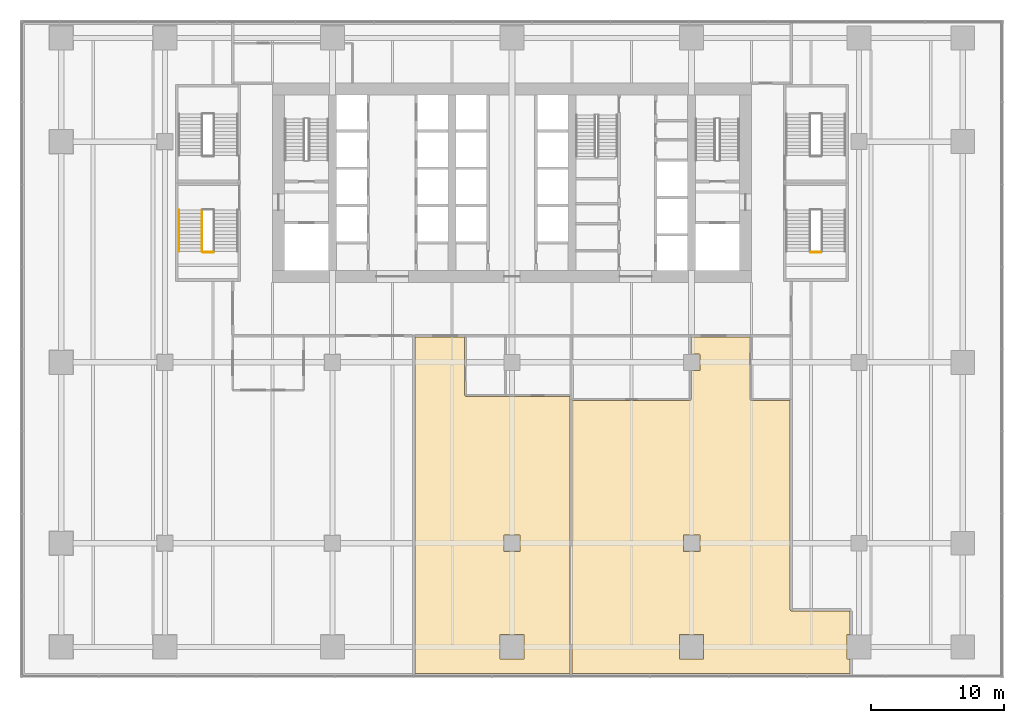
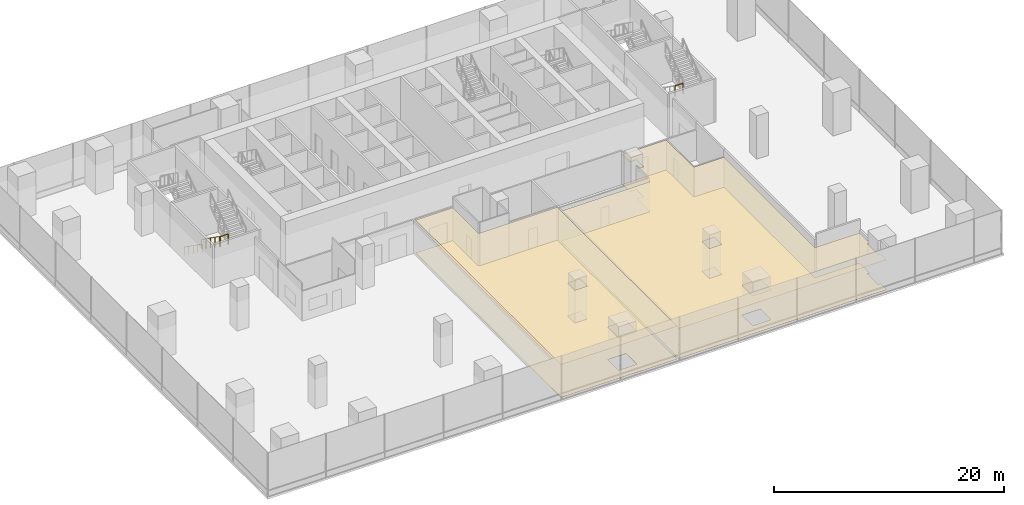
# One storey, part 23 of 28: 4 coverings, 4 railings.
"""IFC4 building model written with IfcOpenShell, lengths in metres."""

from ifc_helpers import new_model, si_unit, direction, frame, origin, origin_2d, place, context, subcontext, project, spatial, polyline, rectangle, outline, extrude, material, layer, layer_set, type_object, element, save


model = new_model("IFC4")

# Units and contexts
model_context = context("Model", 3, precision=1e-05, world=origin(), true_north=direction((0.0, 1.0)))
body_context = subcontext(model_context, "Body", "Model", "MODEL_VIEW")
ifc_project = project(units=[si_unit("LENGTHUNIT", "METRE"), si_unit("AREAUNIT", "SQUARE_METRE"), si_unit("VOLUMEUNIT", "CUBIC_METRE"), si_unit("PLANEANGLEUNIT", "RADIAN"), si_unit("MASSUNIT", "GRAM", prefix="KILO")], contexts=[model_context])

# Site, building, storey
site_placement = place(None, origin())
site = spatial("IfcSite", under=ifc_project, at=site_placement, CompositionType="ELEMENT")
building_placement = place(site_placement, origin())
building = spatial("IfcBuilding", under=site, at=building_placement, Name="Rattan Terrace Tower", CompositionType="ELEMENT")
storey_placement = place(building_placement, frame((0.0, 0.0, 22.199951171875)))
storey = spatial("IfcBuildingStorey", under=building, at=storey_placement, Name="L04", CompositionType="ELEMENT", Elevation=22.199951171875)

# Railings
ifc_material_1 = material(Name="Powder-coated steel guard", Category="steel")
railing_type_1 = type_object("IfcRailingType", Name="Core stair guard", PredefinedType="GUARDRAIL", material=ifc_material_1)
railing_1_placement = place(storey_placement, frame((-23.300048828125, -2.050048828125, 0.1845703125)))
element("IfcRailing", 1, at=railing_1_placement, inside=storey, type_object=railing_type_1, Name="L04 S4 stair guard 1", PredefinedType="GUARDRAIL", context=body_context, shape_type="SweptSolid", body=[
    extrude(rectangle(XDim=0.048095703125, YDim=0.048095703125, at=origin_2d()), frame((0.0, 0.0, 1.076171875), z_axis=(0.0, -0.815325456587, 0.579002935952), x_axis=(1.0, 0.0, 0.0)), (0.0, 0.0, 1.0), 3.826416015625),
    extrude(rectangle(XDim=0.0419921875, YDim=0.0419921875, at=origin_2d()), origin(), (0.0, 0.0, 1.0), 1.052001953125),
    extrude(rectangle(XDim=0.0419921875, YDim=0.0419921875, at=origin_2d()), frame((0.0, -0.780029296875, 0.553955078125)), (0.0, 0.0, 1.0), 1.052001953125),
    extrude(rectangle(XDim=0.0419921875, YDim=0.0419921875, at=origin_2d()), frame((0.0, -1.56005859375, 1.10791015625)), (0.0, 0.0, 1.0), 1.052001953125),
    extrude(rectangle(XDim=0.0419921875, YDim=0.0419921875, at=origin_2d()), frame((0.0, -2.33984375, 1.66162109375)), (0.0, 0.0, 1.0), 1.052001953125),
    extrude(rectangle(XDim=0.0419921875, YDim=0.0419921875, at=origin_2d()), frame((0.0, -3.119873046875, 2.215576171875)), (0.0, 0.0, 1.0), 1.052001953125),
])
for number, where, name in (
    (2, (-23.25, -5.219970703125, 2.400146484375), "L04 S4 stair guard 2"),
    (3, (22.449951171875, -5.219970703125, 2.400146484375), "L04 S6 stair guard 2"),
):
    element("IfcRailing", number, at=place(storey_placement, frame(where)), inside=storey, type_object=railing_type_1, Name=name, PredefinedType="GUARDRAIL", context=body_context, shape_type="SweptSolid", body=[
        extrude(rectangle(XDim=0.048095703125, YDim=0.048095703125, at=origin_2d()), frame((0.0, 0.0, 1.076171875), z_axis=(1.0, 0.0, 0.0), x_axis=(0.0, 1.0, 0.0)), (0.0, 0.0, 1.0), 0.800048828125),
        extrude(rectangle(XDim=0.0419921875, YDim=0.0419921875, at=origin_2d()), origin(), (0.0, 0.0, 1.0), 1.052001953125),
        extrude(rectangle(XDim=0.0419921875, YDim=0.0419921875, at=origin_2d()), frame((0.800048828125, 0.0, 0.0)), (0.0, 0.0, 1.0), 1.052001953125),
    ])
ifc_material_2 = material(Name="Powder-coated steel handrail", Category="steel")
railing_type_2 = type_object("IfcRailingType", Name="Core stair handrail", PredefinedType="HANDRAIL", material=ifc_material_2)
railing_2_placement = place(storey_placement, frame((-25.050048828125, -2.050048828125, 0.1845703125)))
element("IfcRailing", 4, at=railing_2_placement, inside=storey, type_object=railing_type_2, Name="L04 S4 stair handrail 1", PredefinedType="HANDRAIL", context=body_context, shape_type="SweptSolid", body=[
    extrude(rectangle(XDim=0.048095703125, YDim=0.048095703125, at=origin_2d()), frame((0.0, 0.0, 0.8759765625), z_axis=(0.0, -0.815325456587, 0.579002935952), x_axis=(1.0, 0.0, 0.0)), (0.0, 0.0, 1.0), 3.826416015625),
    extrude(rectangle(XDim=0.0419921875, YDim=0.0419921875, at=origin_2d()), origin(), (0.0, 0.0, 1.0), 0.851806640625),
    extrude(rectangle(XDim=0.0419921875, YDim=0.0419921875, at=origin_2d()), frame((0.0, -0.780029296875, 0.553955078125)), (0.0, 0.0, 1.0), 0.851806640625),
    extrude(rectangle(XDim=0.0419921875, YDim=0.0419921875, at=origin_2d()), frame((0.0, -1.56005859375, 1.10791015625)), (0.0, 0.0, 1.0), 0.851806640625),
    extrude(rectangle(XDim=0.0419921875, YDim=0.0419921875, at=origin_2d()), frame((0.0, -2.33984375, 1.66162109375)), (0.0, 0.0, 1.0), 0.851806640625),
    extrude(rectangle(XDim=0.0419921875, YDim=0.0419921875, at=origin_2d()), frame((0.0, -3.119873046875, 2.215576171875)), (0.0, 0.0, 1.0), 0.851806640625),
])

# Coverings
ifc_material_3 = material(Name="Polished limestone", Category="masonry")
ifc_layer_1 = layer(ifc_material_3, 0.02001953125)
ifc_layer_set_1 = layer_set([ifc_layer_1], Name="Lobby Floor Finish Stone 20")
covering_type_1 = type_object("IfcCoveringType", Name="Lobby Floor Finish Stone 20", PredefinedType="FLOORING", material=ifc_layer_set_1)
covering_1_placement = place(storey_placement, origin())
element("IfcCovering", 5, at=covering_1_placement, inside=storey, type_object=covering_type_1, Name="Floor finish L04-111", PredefinedType="FLOORING", context=body_context, shape_type="SweptSolid", body=[
    extrude(outline(polyline([(-7.31005859375, -11.574951171875), (-7.31005859375, -36.909912109375), (4.35009765625, -36.909912109375), (4.35009765625, -16.050048828125), (-0.47998046875, -16.050048828125), (-0.47998046875, -16.06005859375), (-3.5, -16.06005859375), (-3.5, -16.0), (-3.56005859375, -16.0), (-3.56005859375, -11.574951171875), (-7.31005859375, -11.574951171875)]), holes=[polyline([(0.907958984375, -35.819091796875), (0.909912109375, -35.818115234375), (0.910888671875, -35.81689453125), (0.9130859375, -35.81591796875), (0.9140625, -35.81396484375), (0.916015625, -35.81298828125), (0.9169921875, -35.81103515625), (0.91796875, -35.81005859375), (0.9189453125, -35.80810546875), (0.9189453125, -35.805908203125), (0.919921875, -35.803955078125), (0.919921875, -35.802001953125), (0.919921875, -35.800048828125), (0.919921875, -34.0), (0.919921875, -33.998046875), (0.919921875, -33.99609375), (0.9189453125, -33.993896484375), (0.9189453125, -33.991943359375), (0.91796875, -33.989990234375), (0.9169921875, -33.989013671875), (0.916015625, -33.987060546875), (0.9140625, -33.986083984375), (0.9130859375, -33.98388671875), (0.910888671875, -33.98291015625), (0.909912109375, -33.98193359375), (0.907958984375, -33.98095703125), (0.906005859375, -33.98095703125), (0.904052734375, -33.97998046875), (0.902099609375, -33.97998046875), (0.89990234375, -33.97998046875), (-0.89990234375, -33.97998046875), (-0.902099609375, -33.97998046875), (-0.904052734375, -33.97998046875), (-0.906005859375, -33.98095703125), (-0.907958984375, -33.98095703125), (-0.909912109375, -33.98193359375), (-0.910888671875, -33.98291015625), (-0.9130859375, -33.98388671875), (-0.9140625, -33.986083984375), (-0.916015625, -33.987060546875), (-0.9169921875, -33.989013671875), (-0.91796875, -33.989990234375), (-0.9189453125, -33.991943359375), (-0.9189453125, -33.993896484375), (-0.919921875, -33.99609375), (-0.919921875, -33.998046875), (-0.919921875, -34.0), (-0.919921875, -35.800048828125), (-0.919921875, -35.802001953125), (-0.919921875, -35.803955078125), (-0.9189453125, -35.805908203125), (-0.9189453125, -35.80810546875), (-0.91796875, -35.81005859375), (-0.9169921875, -35.81103515625), (-0.916015625, -35.81298828125), (-0.9140625, -35.81396484375), (-0.9130859375, -35.81591796875), (-0.910888671875, -35.81689453125), (-0.909912109375, -35.818115234375), (-0.907958984375, -35.819091796875), (-0.906005859375, -35.819091796875), (-0.904052734375, -35.820068359375), (-0.902099609375, -35.820068359375), (-0.89990234375, -35.820068359375), (0.89990234375, -35.820068359375), (0.902099609375, -35.820068359375), (0.904052734375, -35.820068359375), (0.906005859375, -35.819091796875), (0.907958984375, -35.819091796875)]), polyline([(0.60595703125, -27.718994140625), (0.60791015625, -27.718994140625), (0.610107421875, -27.718017578125), (0.611083984375, -27.717041015625), (0.613037109375, -27.716064453125), (0.614013671875, -27.714111328125), (0.615966796875, -27.712890625), (0.616943359375, -27.7109375), (0.617919921875, -27.7099609375), (0.618896484375, -27.7080078125), (0.618896484375, -27.7060546875), (0.6201171875, -27.7041015625), (0.6201171875, -27.701904296875), (0.6201171875, -27.699951171875), (0.6201171875, -26.5), (0.6201171875, -26.498046875), (0.6201171875, -26.49609375), (0.618896484375, -26.493896484375), (0.618896484375, -26.491943359375), (0.617919921875, -26.489990234375), (0.616943359375, -26.489013671875), (0.615966796875, -26.487060546875), (0.614013671875, -26.486083984375), (0.613037109375, -26.48388671875), (0.611083984375, -26.48291015625), (0.610107421875, -26.48193359375), (0.60791015625, -26.48095703125), (0.60595703125, -26.48095703125), (0.60400390625, -26.47998046875), (0.60205078125, -26.47998046875), (0.60009765625, -26.47998046875), (-0.60009765625, -26.47998046875), (-0.60205078125, -26.47998046875), (-0.60400390625, -26.47998046875), (-0.60595703125, -26.48095703125), (-0.60791015625, -26.48095703125), (-0.610107421875, -26.48193359375), (-0.611083984375, -26.48291015625), (-0.613037109375, -26.48388671875), (-0.614013671875, -26.486083984375), (-0.615966796875, -26.487060546875), (-0.616943359375, -26.489013671875), (-0.617919921875, -26.489990234375), (-0.618896484375, -26.491943359375), (-0.618896484375, -26.493896484375), (-0.6201171875, -26.49609375), (-0.6201171875, -26.498046875), (-0.6201171875, -26.5), (-0.6201171875, -27.699951171875), (-0.6201171875, -27.701904296875), (-0.6201171875, -27.7041015625), (-0.618896484375, -27.7060546875), (-0.618896484375, -27.7080078125), (-0.617919921875, -27.7099609375), (-0.616943359375, -27.7109375), (-0.615966796875, -27.712890625), (-0.614013671875, -27.714111328125), (-0.613037109375, -27.716064453125), (-0.611083984375, -27.717041015625), (-0.610107421875, -27.718017578125), (-0.60791015625, -27.718994140625), (-0.60595703125, -27.718994140625), (-0.60400390625, -27.719970703125), (-0.60205078125, -27.719970703125), (-0.60009765625, -27.719970703125), (0.60009765625, -27.719970703125), (0.60205078125, -27.719970703125), (0.60400390625, -27.719970703125), (0.60595703125, -27.718994140625)])]), origin(), (0.0, 0.0, 1.0), 0.02001953125),
])
covering_2_placement = place(storey_placement, origin())
element("IfcCovering", 6, at=covering_2_placement, inside=storey, type_object=covering_type_1, Name="Floor finish L04-114", PredefinedType="FLOORING", context=body_context, shape_type="SweptSolid", body=[
    extrude(outline(polyline([(4.530029296875, -16.35009765625), (4.530029296875, -36.909912109375), (25.409912109375, -36.909912109375), (25.409912109375, -35.820068359375), (25.199951171875, -35.820068359375), (25.197998046875, -35.820068359375), (25.196044921875, -35.820068359375), (25.194091796875, -35.819091796875), (25.19189453125, -35.819091796875), (25.18994140625, -35.818115234375), (25.18896484375, -35.81689453125), (25.18701171875, -35.81591796875), (25.18603515625, -35.81396484375), (25.18408203125, -35.81298828125), (25.18310546875, -35.81103515625), (25.181884765625, -35.81005859375), (25.180908203125, -35.80810546875), (25.180908203125, -35.805908203125), (25.179931640625, -35.803955078125), (25.179931640625, -35.802001953125), (25.179931640625, -35.800048828125), (25.179931640625, -34.0), (25.179931640625, -33.998046875), (25.179931640625, -33.99609375), (25.180908203125, -33.993896484375), (25.180908203125, -33.991943359375), (25.181884765625, -33.989990234375), (25.18310546875, -33.989013671875), (25.18408203125, -33.987060546875), (25.18603515625, -33.986083984375), (25.18701171875, -33.98388671875), (25.18896484375, -33.98291015625), (25.18994140625, -33.98193359375), (25.19189453125, -33.98095703125), (25.194091796875, -33.98095703125), (25.196044921875, -33.97998046875), (25.197998046875, -33.97998046875), (25.199951171875, -33.97998046875), (25.409912109375, -33.97998046875), (25.409912109375, -32.199951171875), (21.0, -32.199951171875), (21.0, -32.110107421875), (20.909912109375, -32.110107421875), (20.909912109375, -16.35009765625), (17.93994140625, -16.35009765625), (17.93994140625, -16.300048828125), (17.889892578125, -16.300048828125), (17.889892578125, -11.574951171875), (13.489990234375, -11.574951171875), (13.489990234375, -12.8798828125), (14.10009765625, -12.8798828125), (14.10205078125, -12.8798828125), (14.10400390625, -12.8798828125), (14.10595703125, -12.881103515625), (14.10791015625, -12.881103515625), (14.110107421875, -12.882080078125), (14.111083984375, -12.883056640625), (14.113037109375, -12.884033203125), (14.114013671875, -12.885986328125), (14.115966796875, -12.886962890625), (14.116943359375, -12.888916015625), (14.117919921875, -12.889892578125), (14.118896484375, -12.89208984375), (14.118896484375, -12.89404296875), (14.1201171875, -12.89599609375), (14.1201171875, -12.89794921875), (14.1201171875, -12.89990234375), (14.1201171875, -14.10009765625), (14.1201171875, -14.10205078125), (14.1201171875, -14.10400390625), (14.118896484375, -14.10595703125), (14.118896484375, -14.10791015625), (14.117919921875, -14.110107421875), (14.116943359375, -14.111083984375), (14.115966796875, -14.113037109375), (14.114013671875, -14.114013671875), (14.113037109375, -14.115966796875), (14.111083984375, -14.116943359375), (14.110107421875, -14.117919921875), (14.10791015625, -14.118896484375), (14.10595703125, -14.118896484375), (14.10400390625, -14.1201171875), (14.10205078125, -14.1201171875), (14.10009765625, -14.1201171875), (13.489990234375, -14.1201171875), (13.489990234375, -16.300048828125), (13.43994140625, -16.300048828125), (13.43994140625, -16.35009765625), (4.530029296875, -16.35009765625)]), holes=[polyline([(14.407958984375, -35.819091796875), (14.409912109375, -35.818115234375), (14.410888671875, -35.81689453125), (14.4130859375, -35.81591796875), (14.4140625, -35.81396484375), (14.416015625, -35.81298828125), (14.4169921875, -35.81103515625), (14.41796875, -35.81005859375), (14.4189453125, -35.80810546875), (14.4189453125, -35.805908203125), (14.419921875, -35.803955078125), (14.419921875, -35.802001953125), (14.419921875, -35.800048828125), (14.419921875, -34.0), (14.419921875, -33.998046875), (14.419921875, -33.99609375), (14.4189453125, -33.993896484375), (14.4189453125, -33.991943359375), (14.41796875, -33.989990234375), (14.4169921875, -33.989013671875), (14.416015625, -33.987060546875), (14.4140625, -33.986083984375), (14.4130859375, -33.98388671875), (14.410888671875, -33.98291015625), (14.409912109375, -33.98193359375), (14.407958984375, -33.98095703125), (14.406005859375, -33.98095703125), (14.404052734375, -33.97998046875), (14.402099609375, -33.97998046875), (14.39990234375, -33.97998046875), (12.60009765625, -33.97998046875), (12.597900390625, -33.97998046875), (12.595947265625, -33.97998046875), (12.593994140625, -33.98095703125), (12.592041015625, -33.98095703125), (12.590087890625, -33.98193359375), (12.589111328125, -33.98291015625), (12.5869140625, -33.98388671875), (12.5859375, -33.986083984375), (12.583984375, -33.987060546875), (12.5830078125, -33.989013671875), (12.58203125, -33.989990234375), (12.5810546875, -33.991943359375), (12.5810546875, -33.993896484375), (12.580078125, -33.99609375), (12.580078125, -33.998046875), (12.580078125, -34.0), (12.580078125, -35.800048828125), (12.580078125, -35.802001953125), (12.580078125, -35.803955078125), (12.5810546875, -35.805908203125), (12.5810546875, -35.80810546875), (12.58203125, -35.81005859375), (12.5830078125, -35.81103515625), (12.583984375, -35.81298828125), (12.5859375, -35.81396484375), (12.5869140625, -35.81591796875), (12.589111328125, -35.81689453125), (12.590087890625, -35.818115234375), (12.592041015625, -35.819091796875), (12.593994140625, -35.819091796875), (12.595947265625, -35.820068359375), (12.597900390625, -35.820068359375), (12.60009765625, -35.820068359375), (14.39990234375, -35.820068359375), (14.402099609375, -35.820068359375), (14.404052734375, -35.820068359375), (14.406005859375, -35.819091796875), (14.407958984375, -35.819091796875)]), polyline([(14.10791015625, -27.718994140625), (14.110107421875, -27.718017578125), (14.111083984375, -27.717041015625), (14.113037109375, -27.716064453125), (14.114013671875, -27.714111328125), (14.115966796875, -27.712890625), (14.116943359375, -27.7109375), (14.117919921875, -27.7099609375), (14.118896484375, -27.7080078125), (14.118896484375, -27.7060546875), (14.1201171875, -27.7041015625), (14.1201171875, -27.701904296875), (14.1201171875, -27.699951171875), (14.1201171875, -26.5), (14.1201171875, -26.498046875), (14.1201171875, -26.49609375), (14.118896484375, -26.493896484375), (14.118896484375, -26.491943359375), (14.117919921875, -26.489990234375), (14.116943359375, -26.489013671875), (14.115966796875, -26.487060546875), (14.114013671875, -26.486083984375), (14.113037109375, -26.48388671875), (14.111083984375, -26.48291015625), (14.110107421875, -26.48193359375), (14.10791015625, -26.48095703125), (14.10595703125, -26.48095703125), (14.10400390625, -26.47998046875), (14.10205078125, -26.47998046875), (14.10009765625, -26.47998046875), (12.89990234375, -26.47998046875), (12.89794921875, -26.47998046875), (12.89599609375, -26.47998046875), (12.89404296875, -26.48095703125), (12.89208984375, -26.48095703125), (12.889892578125, -26.48193359375), (12.888916015625, -26.48291015625), (12.886962890625, -26.48388671875), (12.885986328125, -26.486083984375), (12.884033203125, -26.487060546875), (12.883056640625, -26.489013671875), (12.882080078125, -26.489990234375), (12.881103515625, -26.491943359375), (12.881103515625, -26.493896484375), (12.8798828125, -26.49609375), (12.8798828125, -26.498046875), (12.8798828125, -26.5), (12.8798828125, -27.699951171875), (12.8798828125, -27.701904296875), (12.8798828125, -27.7041015625), (12.881103515625, -27.7060546875), (12.881103515625, -27.7080078125), (12.882080078125, -27.7099609375), (12.883056640625, -27.7109375), (12.884033203125, -27.712890625), (12.885986328125, -27.714111328125), (12.886962890625, -27.716064453125), (12.888916015625, -27.717041015625), (12.889892578125, -27.718017578125), (12.89208984375, -27.718994140625), (12.89404296875, -27.718994140625), (12.89599609375, -27.719970703125), (12.89794921875, -27.719970703125), (12.89990234375, -27.719970703125), (14.10009765625, -27.719970703125), (14.10205078125, -27.719970703125), (14.10400390625, -27.719970703125), (14.10595703125, -27.718994140625), (14.10791015625, -27.718994140625)])]), origin(), (0.0, 0.0, 1.0), 0.02001953125),
])
ifc_material_4 = material(Name="Gypsum board, painted")
ifc_layer_2 = layer(ifc_material_4, 0.02490234375)
ifc_layer_set_2 = layer_set([ifc_layer_2], Name="Suspended Ceiling Gypsum 25")
covering_type_2 = type_object("IfcCoveringType", Name="Suspended Ceiling Gypsum 25", PredefinedType="CEILING", material=ifc_layer_set_2)
covering_3_placement = place(storey_placement, frame((0.0, 0.0, 3.47509765625)))
element("IfcCovering", 7, at=covering_3_placement, inside=storey, type_object=covering_type_2, Name="Ceiling L04-111", PredefinedType="CEILING", context=body_context, shape_type="SweptSolid", body=[
    extrude(outline(polyline([(-7.31005859375, -11.574951171875), (-7.31005859375, -36.909912109375), (4.35009765625, -36.909912109375), (4.35009765625, -16.050048828125), (-0.47998046875, -16.050048828125), (-0.47998046875, -16.06005859375), (-3.5, -16.06005859375), (-3.5, -16.0), (-3.56005859375, -16.0), (-3.56005859375, -11.574951171875), (-7.31005859375, -11.574951171875)]), holes=[polyline([(0.907958984375, -35.819091796875), (0.909912109375, -35.818115234375), (0.910888671875, -35.81689453125), (0.9130859375, -35.81591796875), (0.9140625, -35.81396484375), (0.916015625, -35.81298828125), (0.9169921875, -35.81103515625), (0.91796875, -35.81005859375), (0.9189453125, -35.80810546875), (0.9189453125, -35.805908203125), (0.919921875, -35.803955078125), (0.919921875, -35.802001953125), (0.919921875, -35.800048828125), (0.919921875, -34.0), (0.919921875, -33.998046875), (0.919921875, -33.99609375), (0.9189453125, -33.993896484375), (0.9189453125, -33.991943359375), (0.91796875, -33.989990234375), (0.9169921875, -33.989013671875), (0.916015625, -33.987060546875), (0.9140625, -33.986083984375), (0.9130859375, -33.98388671875), (0.910888671875, -33.98291015625), (0.909912109375, -33.98193359375), (0.907958984375, -33.98095703125), (0.906005859375, -33.98095703125), (0.904052734375, -33.97998046875), (0.902099609375, -33.97998046875), (0.89990234375, -33.97998046875), (-0.89990234375, -33.97998046875), (-0.902099609375, -33.97998046875), (-0.904052734375, -33.97998046875), (-0.906005859375, -33.98095703125), (-0.907958984375, -33.98095703125), (-0.909912109375, -33.98193359375), (-0.910888671875, -33.98291015625), (-0.9130859375, -33.98388671875), (-0.9140625, -33.986083984375), (-0.916015625, -33.987060546875), (-0.9169921875, -33.989013671875), (-0.91796875, -33.989990234375), (-0.9189453125, -33.991943359375), (-0.9189453125, -33.993896484375), (-0.919921875, -33.99609375), (-0.919921875, -33.998046875), (-0.919921875, -34.0), (-0.919921875, -35.800048828125), (-0.919921875, -35.802001953125), (-0.919921875, -35.803955078125), (-0.9189453125, -35.805908203125), (-0.9189453125, -35.80810546875), (-0.91796875, -35.81005859375), (-0.9169921875, -35.81103515625), (-0.916015625, -35.81298828125), (-0.9140625, -35.81396484375), (-0.9130859375, -35.81591796875), (-0.910888671875, -35.81689453125), (-0.909912109375, -35.818115234375), (-0.907958984375, -35.819091796875), (-0.906005859375, -35.819091796875), (-0.904052734375, -35.820068359375), (-0.902099609375, -35.820068359375), (-0.89990234375, -35.820068359375), (0.89990234375, -35.820068359375), (0.902099609375, -35.820068359375), (0.904052734375, -35.820068359375), (0.906005859375, -35.819091796875), (0.907958984375, -35.819091796875)]), polyline([(0.60595703125, -27.718994140625), (0.60791015625, -27.718994140625), (0.610107421875, -27.718017578125), (0.611083984375, -27.717041015625), (0.613037109375, -27.716064453125), (0.614013671875, -27.714111328125), (0.615966796875, -27.712890625), (0.616943359375, -27.7109375), (0.617919921875, -27.7099609375), (0.618896484375, -27.7080078125), (0.618896484375, -27.7060546875), (0.6201171875, -27.7041015625), (0.6201171875, -27.701904296875), (0.6201171875, -27.699951171875), (0.6201171875, -26.5), (0.6201171875, -26.498046875), (0.6201171875, -26.49609375), (0.618896484375, -26.493896484375), (0.618896484375, -26.491943359375), (0.617919921875, -26.489990234375), (0.616943359375, -26.489013671875), (0.615966796875, -26.487060546875), (0.614013671875, -26.486083984375), (0.613037109375, -26.48388671875), (0.611083984375, -26.48291015625), (0.610107421875, -26.48193359375), (0.60791015625, -26.48095703125), (0.60595703125, -26.48095703125), (0.60400390625, -26.47998046875), (0.60205078125, -26.47998046875), (0.60009765625, -26.47998046875), (-0.60009765625, -26.47998046875), (-0.60205078125, -26.47998046875), (-0.60400390625, -26.47998046875), (-0.60595703125, -26.48095703125), (-0.60791015625, -26.48095703125), (-0.610107421875, -26.48193359375), (-0.611083984375, -26.48291015625), (-0.613037109375, -26.48388671875), (-0.614013671875, -26.486083984375), (-0.615966796875, -26.487060546875), (-0.616943359375, -26.489013671875), (-0.617919921875, -26.489990234375), (-0.618896484375, -26.491943359375), (-0.618896484375, -26.493896484375), (-0.6201171875, -26.49609375), (-0.6201171875, -26.498046875), (-0.6201171875, -26.5), (-0.6201171875, -27.699951171875), (-0.6201171875, -27.701904296875), (-0.6201171875, -27.7041015625), (-0.618896484375, -27.7060546875), (-0.618896484375, -27.7080078125), (-0.617919921875, -27.7099609375), (-0.616943359375, -27.7109375), (-0.615966796875, -27.712890625), (-0.614013671875, -27.714111328125), (-0.613037109375, -27.716064453125), (-0.611083984375, -27.717041015625), (-0.610107421875, -27.718017578125), (-0.60791015625, -27.718994140625), (-0.60595703125, -27.718994140625), (-0.60400390625, -27.719970703125), (-0.60205078125, -27.719970703125), (-0.60009765625, -27.719970703125), (0.60009765625, -27.719970703125), (0.60205078125, -27.719970703125), (0.60400390625, -27.719970703125), (0.60595703125, -27.718994140625)])]), origin(), (0.0, 0.0, 1.0), 0.02490234375),
])
covering_4_placement = place(storey_placement, frame((0.0, 0.0, 3.175048828125)))
element("IfcCovering", 8, at=covering_4_placement, inside=storey, type_object=covering_type_2, Name="Ceiling L04-114", PredefinedType="CEILING", context=body_context, shape_type="SweptSolid", body=[
    extrude(outline(polyline([(4.530029296875, -16.35009765625), (4.530029296875, -36.909912109375), (25.409912109375, -36.909912109375), (25.409912109375, -35.820068359375), (25.199951171875, -35.820068359375), (25.197998046875, -35.820068359375), (25.196044921875, -35.820068359375), (25.194091796875, -35.819091796875), (25.19189453125, -35.819091796875), (25.18994140625, -35.818115234375), (25.18896484375, -35.81689453125), (25.18701171875, -35.81591796875), (25.18603515625, -35.81396484375), (25.18408203125, -35.81298828125), (25.18310546875, -35.81103515625), (25.181884765625, -35.81005859375), (25.180908203125, -35.80810546875), (25.180908203125, -35.805908203125), (25.179931640625, -35.803955078125), (25.179931640625, -35.802001953125), (25.179931640625, -35.800048828125), (25.179931640625, -34.0), (25.179931640625, -33.998046875), (25.179931640625, -33.99609375), (25.180908203125, -33.993896484375), (25.180908203125, -33.991943359375), (25.181884765625, -33.989990234375), (25.18310546875, -33.989013671875), (25.18408203125, -33.987060546875), (25.18603515625, -33.986083984375), (25.18701171875, -33.98388671875), (25.18896484375, -33.98291015625), (25.18994140625, -33.98193359375), (25.19189453125, -33.98095703125), (25.194091796875, -33.98095703125), (25.196044921875, -33.97998046875), (25.197998046875, -33.97998046875), (25.199951171875, -33.97998046875), (25.409912109375, -33.97998046875), (25.409912109375, -32.199951171875), (21.0, -32.199951171875), (21.0, -32.110107421875), (20.909912109375, -32.110107421875), (20.909912109375, -16.35009765625), (17.93994140625, -16.35009765625), (17.93994140625, -16.300048828125), (17.889892578125, -16.300048828125), (17.889892578125, -11.574951171875), (13.489990234375, -11.574951171875), (13.489990234375, -12.8798828125), (14.10009765625, -12.8798828125), (14.10205078125, -12.8798828125), (14.10400390625, -12.8798828125), (14.10595703125, -12.881103515625), (14.10791015625, -12.881103515625), (14.110107421875, -12.882080078125), (14.111083984375, -12.883056640625), (14.113037109375, -12.884033203125), (14.114013671875, -12.885986328125), (14.115966796875, -12.886962890625), (14.116943359375, -12.888916015625), (14.117919921875, -12.889892578125), (14.118896484375, -12.89208984375), (14.118896484375, -12.89404296875), (14.1201171875, -12.89599609375), (14.1201171875, -12.89794921875), (14.1201171875, -12.89990234375), (14.1201171875, -14.10009765625), (14.1201171875, -14.10205078125), (14.1201171875, -14.10400390625), (14.118896484375, -14.10595703125), (14.118896484375, -14.10791015625), (14.117919921875, -14.110107421875), (14.116943359375, -14.111083984375), (14.115966796875, -14.113037109375), (14.114013671875, -14.114013671875), (14.113037109375, -14.115966796875), (14.111083984375, -14.116943359375), (14.110107421875, -14.117919921875), (14.10791015625, -14.118896484375), (14.10595703125, -14.118896484375), (14.10400390625, -14.1201171875), (14.10205078125, -14.1201171875), (14.10009765625, -14.1201171875), (13.489990234375, -14.1201171875), (13.489990234375, -16.300048828125), (13.43994140625, -16.300048828125), (13.43994140625, -16.35009765625), (4.530029296875, -16.35009765625)]), holes=[polyline([(14.407958984375, -35.819091796875), (14.409912109375, -35.818115234375), (14.410888671875, -35.81689453125), (14.4130859375, -35.81591796875), (14.4140625, -35.81396484375), (14.416015625, -35.81298828125), (14.4169921875, -35.81103515625), (14.41796875, -35.81005859375), (14.4189453125, -35.80810546875), (14.4189453125, -35.805908203125), (14.419921875, -35.803955078125), (14.419921875, -35.802001953125), (14.419921875, -35.800048828125), (14.419921875, -34.0), (14.419921875, -33.998046875), (14.419921875, -33.99609375), (14.4189453125, -33.993896484375), (14.4189453125, -33.991943359375), (14.41796875, -33.989990234375), (14.4169921875, -33.989013671875), (14.416015625, -33.987060546875), (14.4140625, -33.986083984375), (14.4130859375, -33.98388671875), (14.410888671875, -33.98291015625), (14.409912109375, -33.98193359375), (14.407958984375, -33.98095703125), (14.406005859375, -33.98095703125), (14.404052734375, -33.97998046875), (14.402099609375, -33.97998046875), (14.39990234375, -33.97998046875), (12.60009765625, -33.97998046875), (12.597900390625, -33.97998046875), (12.595947265625, -33.97998046875), (12.593994140625, -33.98095703125), (12.592041015625, -33.98095703125), (12.590087890625, -33.98193359375), (12.589111328125, -33.98291015625), (12.5869140625, -33.98388671875), (12.5859375, -33.986083984375), (12.583984375, -33.987060546875), (12.5830078125, -33.989013671875), (12.58203125, -33.989990234375), (12.5810546875, -33.991943359375), (12.5810546875, -33.993896484375), (12.580078125, -33.99609375), (12.580078125, -33.998046875), (12.580078125, -34.0), (12.580078125, -35.800048828125), (12.580078125, -35.802001953125), (12.580078125, -35.803955078125), (12.5810546875, -35.805908203125), (12.5810546875, -35.80810546875), (12.58203125, -35.81005859375), (12.5830078125, -35.81103515625), (12.583984375, -35.81298828125), (12.5859375, -35.81396484375), (12.5869140625, -35.81591796875), (12.589111328125, -35.81689453125), (12.590087890625, -35.818115234375), (12.592041015625, -35.819091796875), (12.593994140625, -35.819091796875), (12.595947265625, -35.820068359375), (12.597900390625, -35.820068359375), (12.60009765625, -35.820068359375), (14.39990234375, -35.820068359375), (14.402099609375, -35.820068359375), (14.404052734375, -35.820068359375), (14.406005859375, -35.819091796875), (14.407958984375, -35.819091796875)]), polyline([(14.10791015625, -27.718994140625), (14.110107421875, -27.718017578125), (14.111083984375, -27.717041015625), (14.113037109375, -27.716064453125), (14.114013671875, -27.714111328125), (14.115966796875, -27.712890625), (14.116943359375, -27.7109375), (14.117919921875, -27.7099609375), (14.118896484375, -27.7080078125), (14.118896484375, -27.7060546875), (14.1201171875, -27.7041015625), (14.1201171875, -27.701904296875), (14.1201171875, -27.699951171875), (14.1201171875, -26.5), (14.1201171875, -26.498046875), (14.1201171875, -26.49609375), (14.118896484375, -26.493896484375), (14.118896484375, -26.491943359375), (14.117919921875, -26.489990234375), (14.116943359375, -26.489013671875), (14.115966796875, -26.487060546875), (14.114013671875, -26.486083984375), (14.113037109375, -26.48388671875), (14.111083984375, -26.48291015625), (14.110107421875, -26.48193359375), (14.10791015625, -26.48095703125), (14.10595703125, -26.48095703125), (14.10400390625, -26.47998046875), (14.10205078125, -26.47998046875), (14.10009765625, -26.47998046875), (12.89990234375, -26.47998046875), (12.89794921875, -26.47998046875), (12.89599609375, -26.47998046875), (12.89404296875, -26.48095703125), (12.89208984375, -26.48095703125), (12.889892578125, -26.48193359375), (12.888916015625, -26.48291015625), (12.886962890625, -26.48388671875), (12.885986328125, -26.486083984375), (12.884033203125, -26.487060546875), (12.883056640625, -26.489013671875), (12.882080078125, -26.489990234375), (12.881103515625, -26.491943359375), (12.881103515625, -26.493896484375), (12.8798828125, -26.49609375), (12.8798828125, -26.498046875), (12.8798828125, -26.5), (12.8798828125, -27.699951171875), (12.8798828125, -27.701904296875), (12.8798828125, -27.7041015625), (12.881103515625, -27.7060546875), (12.881103515625, -27.7080078125), (12.882080078125, -27.7099609375), (12.883056640625, -27.7109375), (12.884033203125, -27.712890625), (12.885986328125, -27.714111328125), (12.886962890625, -27.716064453125), (12.888916015625, -27.717041015625), (12.889892578125, -27.718017578125), (12.89208984375, -27.718994140625), (12.89404296875, -27.718994140625), (12.89599609375, -27.719970703125), (12.89794921875, -27.719970703125), (12.89990234375, -27.719970703125), (14.10009765625, -27.719970703125), (14.10205078125, -27.719970703125), (14.10400390625, -27.719970703125), (14.10595703125, -27.718994140625), (14.10791015625, -27.718994140625)])]), origin(), (0.0, 0.0, 1.0), 0.02490234375),
])

save(model, "model.ifc")
